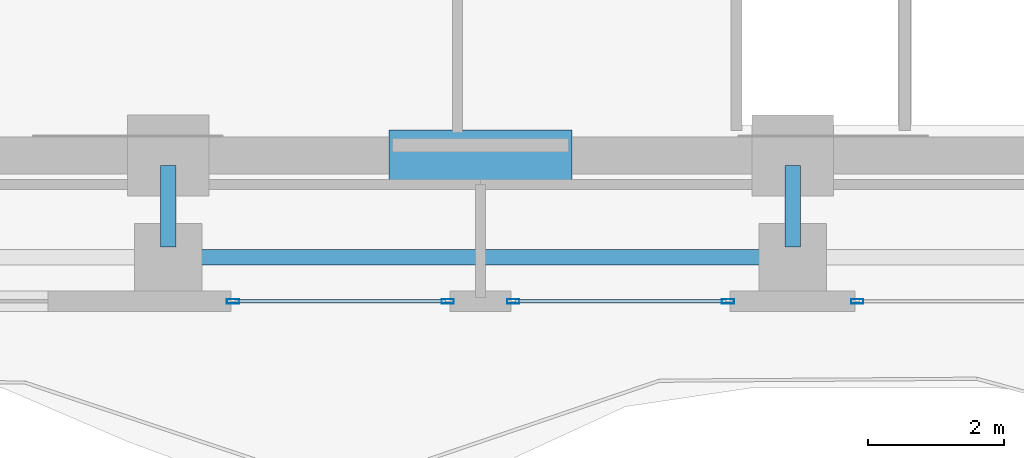
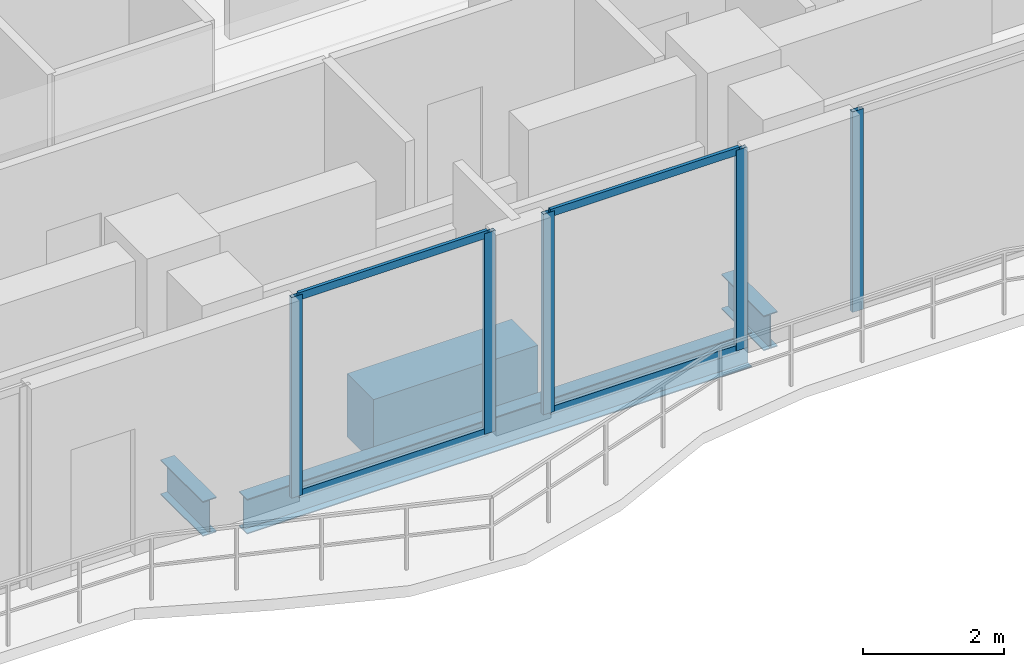
# One storey, part 4 of 25: 9 members, 4 beams, 3 elements without a shape of their own.
"""IFC4 building model written with IfcOpenShell, lengths in metres."""

from ifc_helpers import new_model, si_unit, direction, frame, origin, origin_2d, place, context, subcontext, project, spatial, rectangle, hollow_rectangle, i_section, extrude, material, layer, layer_set, material_profile, profile_set, type_object, element, aggregate, save


model = new_model("IFC4")

# Units and contexts
model_context = context("Model", 3, precision=1e-05, world=origin(), true_north=direction((0.0, 1.0)))
body_context = subcontext(model_context, "Body", "Model", "MODEL_VIEW")
ifc_project = project(units=[si_unit("LENGTHUNIT", "METRE"), si_unit("AREAUNIT", "SQUARE_METRE"), si_unit("VOLUMEUNIT", "CUBIC_METRE"), si_unit("PLANEANGLEUNIT", "RADIAN"), si_unit("MASSUNIT", "GRAM", prefix="KILO")], contexts=[model_context])

# Site, building, storey
site_placement = place(None, origin())
site = spatial("IfcSite", under=ifc_project, at=site_placement, CompositionType="ELEMENT")
building_placement = place(site_placement, origin())
building = spatial("IfcBuilding", under=site, at=building_placement, Name="Zuhayl Quay Hotel", CompositionType="ELEMENT")
storey_placement = place(building_placement, frame((0.0, 0.0, 243.35009765625)))
storey = spatial("IfcBuildingStorey", under=building, at=storey_placement, Name="L61", CompositionType="ELEMENT", Elevation=243.35009765625)

# Beams
ifc_material_1 = material(Name="Steel ASTM A992 Grade 50", Category="steel")
ifc_material_profile_1 = material_profile(ifc_material_1, i_section(OverallWidth=0.22802734375, OverallDepth=0.60693359375, WebThickness=0.01123046875, FlangeThickness=0.017333984375, at=origin_2d()), Name="W24X76")
ifc_profile_set_1 = profile_set([ifc_material_profile_1], Name="Steel ASTM A992 Grade 50")
beam_type_1 = type_object("IfcBeamType", Name="BM_B3_W24X76", PredefinedType="BEAM", material=ifc_profile_set_1)
beam_1_placement = place(storey_placement, frame((-4.139892578125, 0.64990234375, -0.523681640625), z_axis=(1.0, 0.0, 0.0), x_axis=(0.0, 1.0, 0.0)))
element("IfcBeam", 1, at=beam_1_placement, inside=storey, type_object=beam_type_1, Name="L61 Floor Beam RG_L61_02", PredefinedType="BEAM", context=body_context, shape_type="SweptSolid", body=[
    extrude(i_section(OverallWidth=0.22802734375, OverallDepth=0.60693359375, WebThickness=0.01123046875, FlangeThickness=0.017333984375, at=origin_2d()), origin(), (0.0, 0.0, 1.0), 8.27978515625),
])
for number, where, z_axis, x_axis, name in (
    (2, (-4.60009765625, 0.800048828125, -0.523681640625), (0.0, 1.0, 0.0), (-1.0, 0.0, 0.0), "L61 Floor Beam FG_S_L61_2"),
    (3, (4.60009765625, 0.800048828125, -0.523681640625), (0.0, 1.0, 0.0), (-1.0, 0.0, 0.0), "L61 Floor Beam FG_S_L61_3"),
):
    element("IfcBeam", number, at=place(storey_placement, frame(where, z_axis=z_axis, x_axis=x_axis)), inside=storey, type_object=beam_type_1, Name=name, PredefinedType="BEAM", context=body_context, shape_type="SweptSolid", body=[
        extrude(i_section(OverallWidth=0.22802734375, OverallDepth=0.60693359375, WebThickness=0.01123046875, FlangeThickness=0.017333984375, at=origin_2d()), origin(), (0.0, 0.0, 1.0), 1.199951171875),
    ])
ifc_material_2 = material(Name="Concrete C60/75", Category="concrete")
ifc_material_profile_2 = material_profile(ifc_material_2, rectangle(XDim=0.75, YDim=1.10009765625, at=origin_2d()), Name="RC750X1100")
ifc_profile_set_2 = profile_set([ifc_material_profile_2], Name="Concrete C60/75")
beam_type_2 = type_object("IfcBeamType", Name="BM_CB2_RC750", PredefinedType="T_BEAM", material=ifc_profile_set_2)
beam_2_placement = place(storey_placement, frame((-1.35009765625, 2.14990234375, -0.77001953125), z_axis=(1.0, 0.0, 0.0), x_axis=(0.0, 1.0, 0.0)))
element("IfcBeam", 4, at=beam_2_placement, inside=storey, type_object=beam_type_2, Name="L61 Core Coupling Beam South", PredefinedType="T_BEAM", context=body_context, shape_type="SweptSolid", body=[
    extrude(rectangle(XDim=0.75, YDim=1.10009765625, at=origin_2d()), origin(), (0.0, 0.0, 1.0), 2.7001953125),
])

# Curtain wall, member
ifc_material_3 = material(Name="Anodised Aluminium 6063-T6", Category="aluminium")
ifc_layer = layer(ifc_material_3, 0.169921875, Name="Anodised Aluminium 6063-T6", Category="aluminium")
ifc_layer_set = layer_set([ifc_layer], Name="Anodised Aluminium 6063-T6")
curtain_wall_type = type_object("IfcCurtainWallType", Name="CW_SYS_Z4", PredefinedType="USERDEFINED", material=ifc_layer_set)
curtain_wall_1_placement = place(storey_placement, origin())
curtain_wall_1 = element("IfcCurtainWall", 5, at=curtain_wall_1_placement, inside=storey, type_object=curtain_wall_type, Name="L61 Curtain Wall ENV_L61_S_CW1", ObjectType="UNITISED CURTAIN WALL", PredefinedType="USERDEFINED")
ifc_material_4 = material(Name="Black-anodised aluminium 6063-T6", Category="aluminium")
ifc_material_profile_3 = material_profile(ifc_material_4, hollow_rectangle(XDim=0.06494140625, YDim=0.179931640625, WallThickness=0.00341796875, at=origin_2d()), Name="ALU180X65")
ifc_profile_set_3 = profile_set([ifc_material_profile_3], Name="Black-anodised aluminium 6063-T6")
member_type_1 = type_object("IfcMemberType", Name="MB_CW_MUL_180", PredefinedType="MULLION", material=ifc_profile_set_3)
member_1_placement = place(storey_placement, frame((5.552490234375, 0.0, 0.0), z_axis=(0.0, 0.0, 1.0), x_axis=(0.0, -1.0, 0.0)))
member_1 = element("IfcMember", 6, at=member_1_placement, type_object=member_type_1, Name="CW-Z4 mullion 2", PredefinedType="MULLION", context=body_context, shape_type="SweptSolid", body=[
    extrude(hollow_rectangle(XDim=0.06494140625, YDim=0.179931640625, WallThickness=0.00341796875, at=origin_2d()), origin(), (0.0, 0.0, 1.0), 3.47998046875),
])
aggregate(curtain_wall_1, [member_1])

# Curtain wall, members
curtain_wall_2_placement = place(storey_placement, origin())
curtain_wall_2 = element("IfcCurtainWall", 7, at=curtain_wall_2_placement, inside=storey, type_object=curtain_wall_type, Name="L61 Curtain Wall ENV_L61_S_CW2", ObjectType="UNITISED CURTAIN WALL", PredefinedType="USERDEFINED")
member_2_placement = place(storey_placement, frame((3.6474609375, 0.0, 0.0), z_axis=(0.0, 0.0, 1.0), x_axis=(0.0, -1.0, 0.0)))
member_2 = element("IfcMember", 8, at=member_2_placement, type_object=member_type_1, Name="CW-Z4 mullion 1", PredefinedType="MULLION", context=body_context, shape_type="SweptSolid", body=[
    extrude(hollow_rectangle(XDim=0.06494140625, YDim=0.179931640625, WallThickness=0.00341796875, at=origin_2d()), origin(), (0.0, 0.0, 1.0), 3.47998046875),
])
member_3_placement = place(storey_placement, frame((0.482421875, 0.0, 0.0), z_axis=(0.0, 0.0, 1.0), x_axis=(0.0, -1.0, 0.0)))
member_3 = element("IfcMember", 9, at=member_3_placement, type_object=member_type_1, Name="CW-Z4 mullion 2", PredefinedType="MULLION", context=body_context, shape_type="SweptSolid", body=[
    extrude(hollow_rectangle(XDim=0.06494140625, YDim=0.179931640625, WallThickness=0.00341796875, at=origin_2d()), origin(), (0.0, 0.0, 1.0), 3.47998046875),
])

curtain_wall_3_placement = place(storey_placement, origin())
curtain_wall_3 = element("IfcCurtainWall", 10, at=curtain_wall_3_placement, inside=storey, type_object=curtain_wall_type, Name="L61 Curtain Wall ENV_L61_S_CW3", ObjectType="UNITISED CURTAIN WALL", PredefinedType="USERDEFINED")
member_4_placement = place(storey_placement, frame((-0.482421875, 0.0, 0.0), z_axis=(0.0, 0.0, 1.0), x_axis=(0.0, -1.0, 0.0)))
member_4 = element("IfcMember", 11, at=member_4_placement, type_object=member_type_1, Name="CW-Z4 mullion 1", PredefinedType="MULLION", context=body_context, shape_type="SweptSolid", body=[
    extrude(hollow_rectangle(XDim=0.06494140625, YDim=0.179931640625, WallThickness=0.00341796875, at=origin_2d()), origin(), (0.0, 0.0, 1.0), 3.47998046875),
])
member_5_placement = place(storey_placement, frame((-3.6474609375, 0.0, 0.0), z_axis=(0.0, 0.0, 1.0), x_axis=(0.0, -1.0, 0.0)))
member_5 = element("IfcMember", 12, at=member_5_placement, type_object=member_type_1, Name="CW-Z4 mullion 2", PredefinedType="MULLION", context=body_context, shape_type="SweptSolid", body=[
    extrude(hollow_rectangle(XDim=0.06494140625, YDim=0.179931640625, WallThickness=0.00341796875, at=origin_2d()), origin(), (0.0, 0.0, 1.0), 3.47998046875),
])

# Member
ifc_material_profile_4 = material_profile(ifc_material_4, hollow_rectangle(XDim=0.054931640625, YDim=0.1298828125, WallThickness=0.0029296875, at=origin_2d()), Name="ALU130X55")
ifc_profile_set_4 = profile_set([ifc_material_profile_4], Name="Black-anodised aluminium 6063-T6")
member_type_2 = type_object("IfcMemberType", Name="MB_CW_TRN_130", PredefinedType="USERDEFINED", material=ifc_profile_set_4)
member_6_placement = place(storey_placement, frame((3.614990234375, 0.0, 0.02734375), z_axis=(-1.0, 0.0, 0.0), x_axis=(0.0, -1.0, 0.0)))
member_6 = element("IfcMember", 13, at=member_6_placement, type_object=member_type_2, Name="CW-Z4 transom 1.1", ObjectType="TRANSOM", PredefinedType="USERDEFINED", context=body_context, shape_type="SweptSolid", body=[
    extrude(hollow_rectangle(XDim=0.054931640625, YDim=0.1298828125, WallThickness=0.0029296875, at=origin_2d()), origin(), (0.0, 0.0, 1.0), 3.10009765625),
])

member_7_placement = place(storey_placement, frame((3.614990234375, 0.0, 3.452392578125), z_axis=(-1.0, 0.0, 0.0), x_axis=(0.0, -1.0, 0.0)))
member_7 = element("IfcMember", 14, at=member_7_placement, type_object=member_type_2, Name="CW-Z4 transom 1.2", ObjectType="TRANSOM", PredefinedType="USERDEFINED", context=body_context, shape_type="SweptSolid", body=[
    extrude(hollow_rectangle(XDim=0.054931640625, YDim=0.1298828125, WallThickness=0.0029296875, at=origin_2d()), origin(), (0.0, 0.0, 1.0), 3.10009765625),
])

aggregate(curtain_wall_2, [member_2, member_3, member_6, member_7])

member_8_placement = place(storey_placement, frame((-0.514892578125, 0.0, 0.02734375), z_axis=(-1.0, 0.0, 0.0), x_axis=(0.0, -1.0, 0.0)))
member_8 = element("IfcMember", 15, at=member_8_placement, type_object=member_type_2, Name="CW-Z4 transom 1.1", ObjectType="TRANSOM", PredefinedType="USERDEFINED", context=body_context, shape_type="SweptSolid", body=[
    extrude(hollow_rectangle(XDim=0.054931640625, YDim=0.1298828125, WallThickness=0.0029296875, at=origin_2d()), origin(), (0.0, 0.0, 1.0), 3.10009765625),
])

member_9_placement = place(storey_placement, frame((-0.514892578125, 0.0, 3.452392578125), z_axis=(-1.0, 0.0, 0.0), x_axis=(0.0, -1.0, 0.0)))
member_9 = element("IfcMember", 16, at=member_9_placement, type_object=member_type_2, Name="CW-Z4 transom 1.2", ObjectType="TRANSOM", PredefinedType="USERDEFINED", context=body_context, shape_type="SweptSolid", body=[
    extrude(hollow_rectangle(XDim=0.054931640625, YDim=0.1298828125, WallThickness=0.0029296875, at=origin_2d()), origin(), (0.0, 0.0, 1.0), 3.10009765625),
])

aggregate(curtain_wall_3, [member_4, member_5, member_8, member_9])

save(model, "model.ifc")
